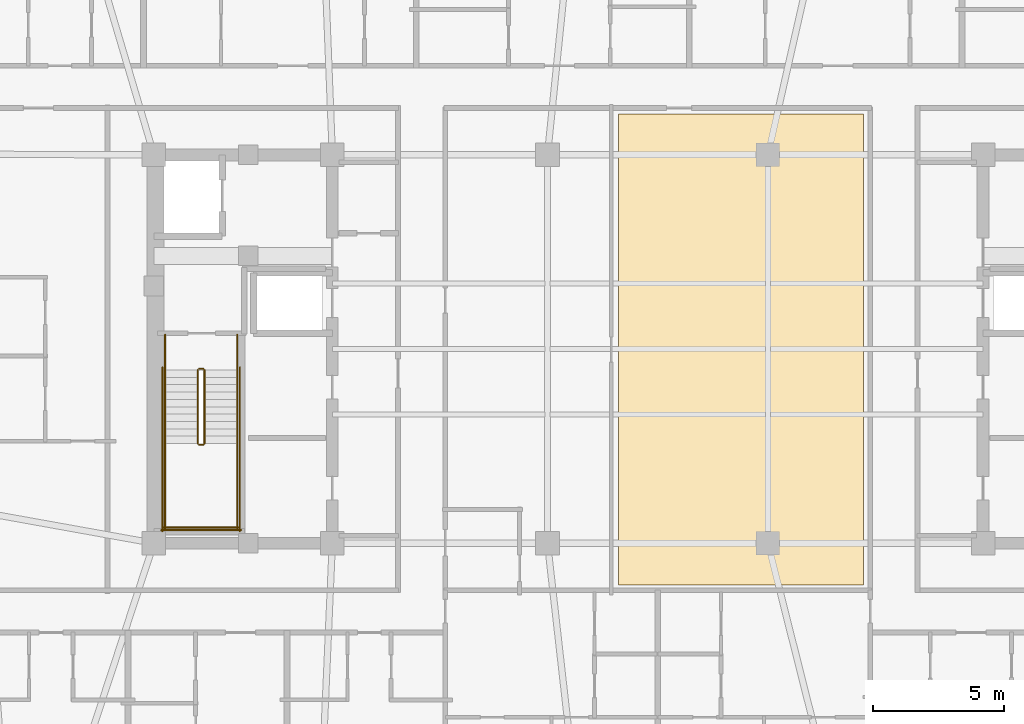
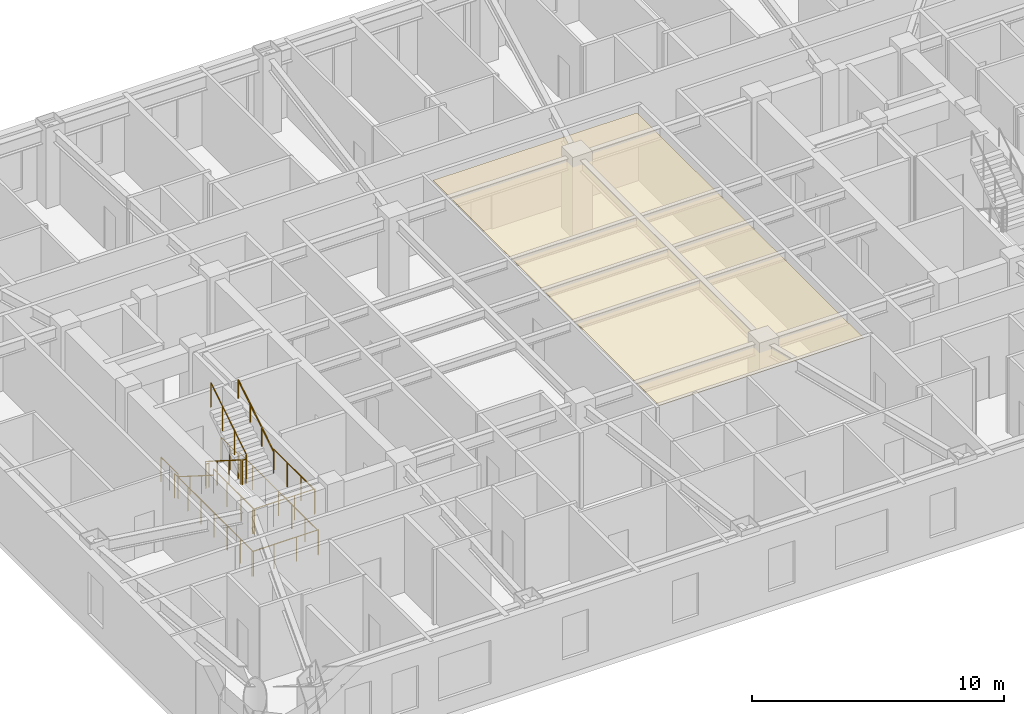
# One storey, part 10 of 11: 14 railings, 1 covering.
"""IFC4 building model written with IfcOpenShell, lengths in metres."""

from ifc_helpers import new_model, si_unit, direction, frame, origin, origin_2d, place, context, subcontext, project, spatial, polyline, circle, outline, extrude, material, layer, layer_set, type_object, element, save


model = new_model("IFC4")

# Units and contexts
model_context = context("Model", 3, precision=1e-05, world=origin(), true_north=direction((0.0, 1.0)))
body_context = subcontext(model_context, "Body", "Model", "MODEL_VIEW")
ifc_project = project(units=[si_unit("LENGTHUNIT", "METRE"), si_unit("AREAUNIT", "SQUARE_METRE"), si_unit("VOLUMEUNIT", "CUBIC_METRE"), si_unit("PLANEANGLEUNIT", "RADIAN"), si_unit("MASSUNIT", "GRAM", prefix="KILO")], contexts=[model_context])

# Site, building, storey
site_placement = place(None, origin())
site = spatial("IfcSite", under=ifc_project, at=site_placement, CompositionType="ELEMENT")
building_placement = place(site_placement, origin())
building = spatial("IfcBuilding", under=site, at=building_placement, Name="Voryun Gate Residences", CompositionType="ELEMENT")
storey_placement = place(building_placement, frame((0.0, 0.0, 219.699951171875)))
storey = spatial("IfcBuildingStorey", under=building, at=storey_placement, Name="L54", CompositionType="ELEMENT", Elevation=219.699951171875)

# Covering
ifc_material_1 = material(Name="Gypsum acoustic ceiling")
ifc_layer = layer(ifc_material_1, 0.02490234375, Name="COV_CEILING_ACOUSTIC")
ifc_layer_set = layer_set([ifc_layer], Name="Gypsum acoustic ceiling")
covering_type = type_object("IfcCoveringType", Name="COV_CEILING_ACOUSTIC", PredefinedType="CEILING", material=ifc_layer_set)
covering_placement = place(storey_placement, frame((0.0, 0.0, 3.400146484375)))
element("IfcCovering", 1, at=covering_placement, inside=storey, type_object=covering_type, Name="Acoustic ceiling CLG-L54-01", PredefinedType="CEILING", context=body_context, shape_type="SweptSolid", body=[
    extrude(outline(polyline([(-1.492919921875, -9.0), (-1.492919921875, 8.949951171875), (7.840087890625, 8.949951171875), (7.840087890625, -9.0), (-1.492919921875, -9.0)])), origin(), (0.0, 0.0, 1.0), 0.02490234375),
])

# Railings
ifc_material_2 = material(Name="Painted steel", Category="steel")
railing_type_1 = type_object("IfcRailingType", Name="RAIL_STAIR_GUARD_1200", PredefinedType="GUARDRAIL", material=ifc_material_2)
railing_1_placement = place(storey_placement, frame((-17.52490234375, -0.800048828125, 0.17724609375)))
element("IfcRailing", 2, at=railing_1_placement, inside=storey, type_object=railing_type_1, Name="L54 ST-W1 stair guard 1", PredefinedType="GUARDRAIL", context=body_context, shape_type="SweptSolid", body=[
    extrude(circle(Radius=0.02392578125, at=origin_2d()), frame((0.0, 0.0, 1.17578125), z_axis=(0.0, -0.844908973607, 0.534910110503), x_axis=(1.0, 0.0, 0.0)), (0.0, 0.0, 1.0), 3.31396484375),
    extrude(circle(Radius=0.02099609375, at=origin_2d()), origin(), (0.0, 0.0, 1.0), 1.15185546875),
    extrude(circle(Radius=0.02099609375, at=origin_2d()), frame((0.0, -0.933349609375, 0.5908203125)), (0.0, 0.0, 1.0), 1.15185546875),
    extrude(circle(Radius=0.02099609375, at=origin_2d()), frame((0.0, -1.86669921875, 1.181884765625)), (0.0, 0.0, 1.0), 1.15185546875),
    extrude(circle(Radius=0.02099609375, at=origin_2d()), frame((0.0, -2.800048828125, 1.772705078125)), (0.0, 0.0, 1.0), 1.15185546875),
])
railing_2_placement = place(storey_placement, frame((-17.47509765625, -3.64990234375, 1.949951171875)))
element("IfcRailing", 3, at=railing_2_placement, inside=storey, type_object=railing_type_1, Name="L54 ST-W1 stair guard 2", PredefinedType="GUARDRAIL", context=body_context, shape_type="SweptSolid", body=[
    extrude(circle(Radius=0.02392578125, at=origin_2d()), frame((0.0, 0.0, 1.17578125), z_axis=(1.0, 0.0, 0.0), x_axis=(0.0, 1.0, 0.0)), (0.0, 0.0, 1.0), 0.150146484375),
    extrude(circle(Radius=0.02099609375, at=origin_2d()), origin(), (0.0, 0.0, 1.0), 1.15185546875),
    extrude(circle(Radius=0.02099609375, at=origin_2d()), frame((0.150146484375, 0.0, 0.0)), (0.0, 0.0, 1.0), 1.15185546875),
])
for number, where, name in (
    (4, (-18.77490234375, -3.60009765625, 1.949951171875), "L54 ST-W1 stair guard 3"),
    (5, (-16.02490234375, -3.60009765625, 1.949951171875), "L54 ST-W1 stair guard 4"),
):
    element("IfcRailing", number, at=place(storey_placement, frame(where)), inside=storey, type_object=railing_type_1, Name=name, PredefinedType="GUARDRAIL", context=body_context, shape_type="SweptSolid", body=[
        extrude(circle(Radius=0.02392578125, at=origin_2d()), frame((0.0, 0.0, 1.17578125), z_axis=(0.0, -1.0, 0.0), x_axis=(1.0, 0.0, 0.0)), (0.0, 0.0, 1.0), 3.25),
        extrude(circle(Radius=0.02099609375, at=origin_2d()), origin(), (0.0, 0.0, 1.0), 1.15185546875),
        extrude(circle(Radius=0.02099609375, at=origin_2d()), frame((0.0, -1.083251953125, 0.0)), (0.0, 0.0, 1.0), 1.15185546875),
        extrude(circle(Radius=0.02099609375, at=origin_2d()), frame((0.0, -2.166748046875, 0.0)), (0.0, 0.0, 1.0), 1.15185546875),
        extrude(circle(Radius=0.02099609375, at=origin_2d()), frame((0.0, -3.25, 0.0)), (0.0, 0.0, 1.0), 1.15185546875),
    ])
railing_3_placement = place(storey_placement, frame((-18.824951171875, -6.800048828125, 1.949951171875)))
element("IfcRailing", 6, at=railing_3_placement, inside=storey, type_object=railing_type_1, Name="L54 ST-W1 stair guard 5", PredefinedType="GUARDRAIL", context=body_context, shape_type="SweptSolid", body=[
    extrude(circle(Radius=0.02392578125, at=origin_2d()), frame((0.0, 0.0, 1.17578125), z_axis=(1.0, 0.0, 0.0), x_axis=(0.0, 1.0, 0.0)), (0.0, 0.0, 1.0), 2.849853515625),
    extrude(circle(Radius=0.02099609375, at=origin_2d()), origin(), (0.0, 0.0, 1.0), 1.15185546875),
    extrude(circle(Radius=0.02099609375, at=origin_2d()), frame((0.949951171875, 0.0, 0.0)), (0.0, 0.0, 1.0), 1.15185546875),
    extrude(circle(Radius=0.02099609375, at=origin_2d()), frame((1.89990234375, 0.0, 0.0)), (0.0, 0.0, 1.0), 1.15185546875),
    extrude(circle(Radius=0.02099609375, at=origin_2d()), frame((2.849853515625, 0.0, 0.0)), (0.0, 0.0, 1.0), 1.15185546875),
])
railing_4_placement = place(storey_placement, frame((-17.27490234375, -3.60009765625, 2.12744140625)))
element("IfcRailing", 7, at=railing_4_placement, inside=storey, type_object=railing_type_1, Name="L54 ST-W1 stair guard 6", PredefinedType="GUARDRAIL", context=body_context, shape_type="SweptSolid", body=[
    extrude(circle(Radius=0.02392578125, at=origin_2d()), frame((0.0, 0.0, 1.17578125), z_axis=(0.0, 0.844908973607, 0.534910110503), x_axis=(-1.0, 0.0, 0.0)), (0.0, 0.0, 1.0), 3.31396484375),
    extrude(circle(Radius=0.02099609375, at=origin_2d()), origin(), (0.0, 0.0, 1.0), 1.15185546875),
    extrude(circle(Radius=0.02099609375, at=origin_2d()), frame((0.0, 0.933349609375, 0.5908203125)), (0.0, 0.0, 1.0), 1.15185546875),
    extrude(circle(Radius=0.02099609375, at=origin_2d()), frame((0.0, 1.86669921875, 1.181884765625)), (0.0, 0.0, 1.0), 1.15185546875),
    extrude(circle(Radius=0.02099609375, at=origin_2d()), frame((0.0, 2.800048828125, 1.772705078125)), (0.0, 0.0, 1.0), 1.15185546875),
])
railing_5_placement = place(storey_placement, frame((-17.47509765625, -0.75, 0.0)))
element("IfcRailing", 8, at=railing_5_placement, inside=storey, type_object=railing_type_1, Name="L54 ST-W1 stair guard 7", PredefinedType="GUARDRAIL", context=body_context, shape_type="SweptSolid", body=[
    extrude(circle(Radius=0.02392578125, at=origin_2d()), frame((0.0, 0.0, 1.17578125), z_axis=(1.0, 0.0, 0.0), x_axis=(0.0, 1.0, 0.0)), (0.0, 0.0, 1.0), 0.150146484375),
    extrude(circle(Radius=0.02099609375, at=origin_2d()), origin(), (0.0, 0.0, 1.0), 1.15185546875),
    extrude(circle(Radius=0.02099609375, at=origin_2d()), frame((0.150146484375, 0.0, 0.0)), (0.0, 0.0, 1.0), 1.15185546875),
])
for number, where, name in (
    (9, (-18.77490234375, 0.550048828125, 0.0), "L54 ST-W1 stair guard 8"),
    (10, (-16.02490234375, 0.550048828125, 0.0), "L54 ST-W1 stair guard 9"),
):
    element("IfcRailing", number, at=place(storey_placement, frame(where)), inside=storey, type_object=railing_type_1, Name=name, PredefinedType="GUARDRAIL", context=body_context, shape_type="SweptSolid", body=[
        extrude(circle(Radius=0.02392578125, at=origin_2d()), frame((0.0, 0.0, 1.17578125), z_axis=(0.0, -1.0, 0.0), x_axis=(1.0, 0.0, 0.0)), (0.0, 0.0, 1.0), 1.35009765625),
        extrude(circle(Radius=0.02099609375, at=origin_2d()), origin(), (0.0, 0.0, 1.0), 1.15185546875),
        extrude(circle(Radius=0.02099609375, at=origin_2d()), frame((0.0, -0.675048828125, 0.0)), (0.0, 0.0, 1.0), 1.15185546875),
        extrude(circle(Radius=0.02099609375, at=origin_2d()), frame((0.0, -1.35009765625, 0.0)), (0.0, 0.0, 1.0), 1.15185546875),
    ])
for number, where, name in (
    (11, (-18.875, -0.699951171875, 0.0), "L54 ST-W1 stair guard 10"),
    (12, (-15.925048828125, -0.699951171875, 0.0), "L54 ST-W1 stair guard 11"),
):
    element("IfcRailing", number, at=place(storey_placement, frame(where)), inside=storey, type_object=railing_type_1, Name=name, PredefinedType="GUARDRAIL", context=body_context, shape_type="SweptSolid", body=[
        extrude(circle(Radius=0.02392578125, at=origin_2d()), frame((0.0, 0.0, 1.17578125), z_axis=(0.0, -1.0, 0.0), x_axis=(1.0, 0.0, 0.0)), (0.0, 0.0, 1.0), 6.25),
        extrude(circle(Radius=0.02099609375, at=origin_2d()), origin(), (0.0, 0.0, 1.0), 1.15185546875),
        extrude(circle(Radius=0.02099609375, at=origin_2d()), frame((0.0, -1.041748046875, 0.0)), (0.0, 0.0, 1.0), 1.15185546875),
        extrude(circle(Radius=0.02099609375, at=origin_2d()), frame((0.0, -2.083251953125, 0.0)), (0.0, 0.0, 1.0), 1.15185546875),
        extrude(circle(Radius=0.02099609375, at=origin_2d()), frame((0.0, -3.125, 0.0)), (0.0, 0.0, 1.0), 1.15185546875),
        extrude(circle(Radius=0.02099609375, at=origin_2d()), frame((0.0, -4.166748046875, 0.0)), (0.0, 0.0, 1.0), 1.15185546875),
        extrude(circle(Radius=0.02099609375, at=origin_2d()), frame((0.0, -5.208251953125, 0.0)), (0.0, 0.0, 1.0), 1.15185546875),
        extrude(circle(Radius=0.02099609375, at=origin_2d()), frame((0.0, -6.25, 0.0)), (0.0, 0.0, 1.0), 1.15185546875),
    ])
railing_6_placement = place(storey_placement, frame((-18.925048828125, -6.89990234375, 0.0)))
element("IfcRailing", 13, at=railing_6_placement, inside=storey, type_object=railing_type_1, Name="L54 ST-W1 stair guard 12", PredefinedType="GUARDRAIL", context=body_context, shape_type="SweptSolid", body=[
    extrude(circle(Radius=0.02392578125, at=origin_2d()), frame((0.0, 0.0, 1.17578125), z_axis=(1.0, 0.0, 0.0), x_axis=(0.0, 1.0, 0.0)), (0.0, 0.0, 1.0), 3.050048828125),
    extrude(circle(Radius=0.02099609375, at=origin_2d()), origin(), (0.0, 0.0, 1.0), 1.15185546875),
    extrude(circle(Radius=0.02099609375, at=origin_2d()), frame((1.0166015625, 0.0, 0.0)), (0.0, 0.0, 1.0), 1.15185546875),
    extrude(circle(Radius=0.02099609375, at=origin_2d()), frame((2.033447265625, 0.0, 0.0)), (0.0, 0.0, 1.0), 1.15185546875),
    extrude(circle(Radius=0.02099609375, at=origin_2d()), frame((3.050048828125, 0.0, 0.0)), (0.0, 0.0, 1.0), 1.15185546875),
])
ifc_material_3 = material(Name="Painted steel", Category="steel")
railing_type_2 = type_object("IfcRailingType", Name="RAIL_STAIR_HANDRAIL_900", PredefinedType="HANDRAIL", material=ifc_material_3)
railing_7_placement = place(storey_placement, frame((-18.77490234375, -0.800048828125, 0.17724609375)))
element("IfcRailing", 14, at=railing_7_placement, inside=storey, type_object=railing_type_2, Name="L54 ST-W1 stair handrail 1", PredefinedType="HANDRAIL", context=body_context, shape_type="SweptSolid", body=[
    extrude(circle(Radius=0.02392578125, at=origin_2d()), frame((0.0, 0.0, 0.8759765625), z_axis=(0.0, -0.844908973607, 0.534910110503), x_axis=(1.0, 0.0, 0.0)), (0.0, 0.0, 1.0), 3.31396484375),
    extrude(circle(Radius=0.02099609375, at=origin_2d()), origin(), (0.0, 0.0, 1.0), 0.851806640625),
    extrude(circle(Radius=0.02099609375, at=origin_2d()), frame((0.0, -0.933349609375, 0.5908203125)), (0.0, 0.0, 1.0), 0.851806640625),
    extrude(circle(Radius=0.02099609375, at=origin_2d()), frame((0.0, -1.86669921875, 1.181884765625)), (0.0, 0.0, 1.0), 0.851806640625),
    extrude(circle(Radius=0.02099609375, at=origin_2d()), frame((0.0, -2.800048828125, 1.772705078125)), (0.0, 0.0, 1.0), 0.851806640625),
])
railing_8_placement = place(storey_placement, frame((-16.02490234375, -3.60009765625, 2.12744140625)))
element("IfcRailing", 15, at=railing_8_placement, inside=storey, type_object=railing_type_2, Name="L54 ST-W1 stair handrail 2", PredefinedType="HANDRAIL", context=body_context, shape_type="SweptSolid", body=[
    extrude(circle(Radius=0.02392578125, at=origin_2d()), frame((0.0, 0.0, 0.8759765625), z_axis=(0.0, 0.844908973607, 0.534910110503), x_axis=(-1.0, 0.0, 0.0)), (0.0, 0.0, 1.0), 3.31396484375),
    extrude(circle(Radius=0.02099609375, at=origin_2d()), origin(), (0.0, 0.0, 1.0), 0.851806640625),
    extrude(circle(Radius=0.02099609375, at=origin_2d()), frame((0.0, 0.933349609375, 0.5908203125)), (0.0, 0.0, 1.0), 0.851806640625),
    extrude(circle(Radius=0.02099609375, at=origin_2d()), frame((0.0, 1.86669921875, 1.181884765625)), (0.0, 0.0, 1.0), 0.851806640625),
    extrude(circle(Radius=0.02099609375, at=origin_2d()), frame((0.0, 2.800048828125, 1.772705078125)), (0.0, 0.0, 1.0), 0.851806640625),
])

save(model, "model.ifc")
